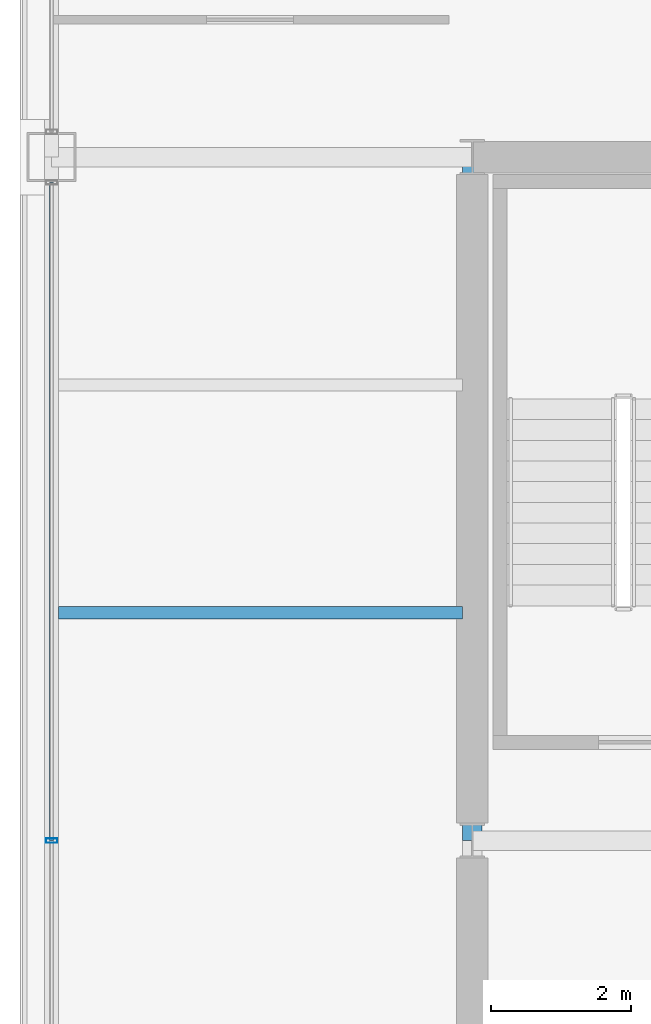
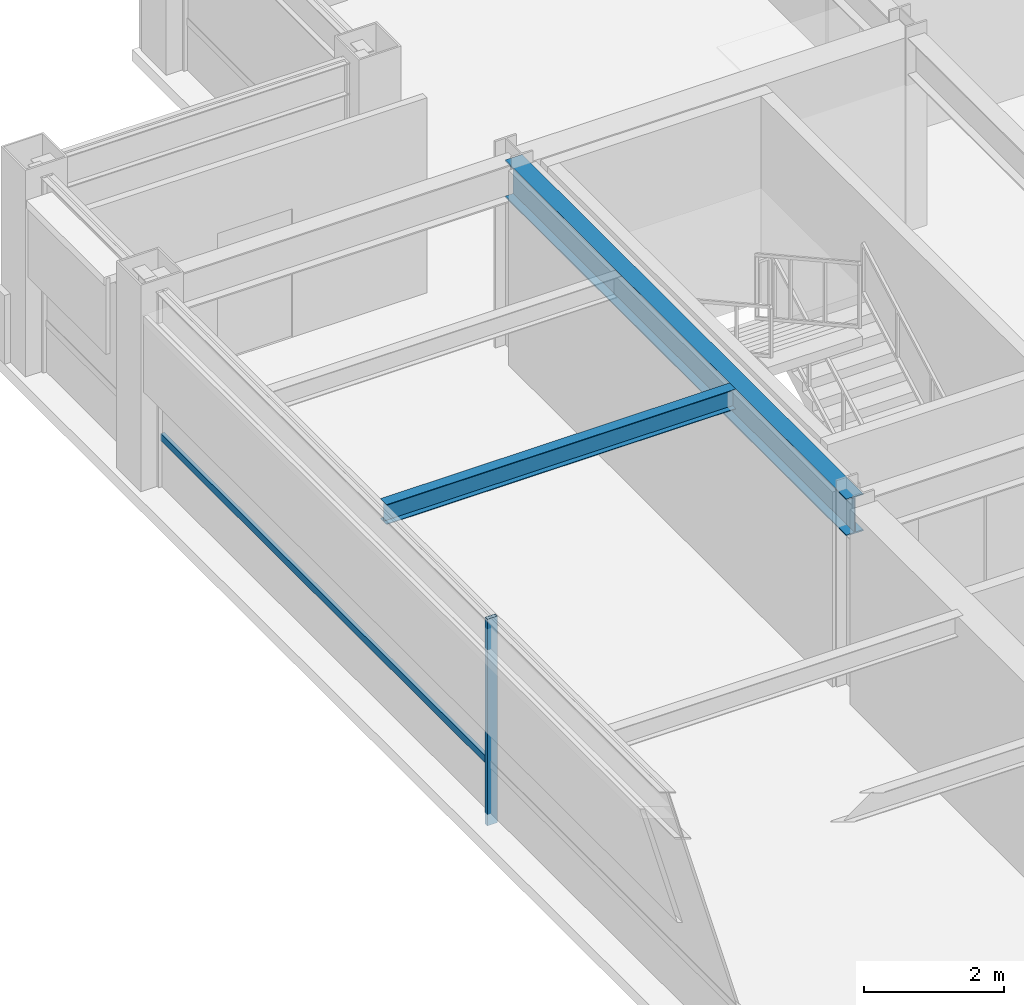
# One storey, part 8 of 26: 2 beams, 2 members, 1 element without a shape of its own.
"""IFC4 building model written with IfcOpenShell, lengths in metres."""

import ifcopenshell
import ifcopenshell.guid

model = None  # the IFC model being written
_history = None  # IfcOwnerHistory: only IFC2X3 demands one
_inside = {}  # id of a spatial element -> (the spatial element, [elements in it])
_under = {}  # id of a project, library or spatial element -> (it, [spatial elements below it])
_declared = {}  # id of a project -> (the project, [libraries it declares])
_typed = {}  # id of a type object -> (the type object, [elements of that type])
_made_of = {}  # id of a material, layer set ... -> (it, [elements and type objects made of it])


def new_model(schema):
    """Start an empty IFC model of exactly this schema.

    Asked for "IFC4X3", IfcOpenShell would pick the latest addendum, in which some entities
    have other attributes; the version numbers below select the first issue.
    IFC2X3 requires an IfcOwnerHistory on every rooted entity: one is made here for all.
    """
    global model, _history
    if schema == "IFC4X3":
        model = ifcopenshell.file(schema_version=(4, 3, 0, 0))
    else:
        model = ifcopenshell.file(schema=schema)
    _inside.clear()
    _under.clear()
    _declared.clear()
    _typed.clear()
    _made_of.clear()
    _history = None
    if model.schema == "IFC2X3":
        org = make("IfcOrganization", Name="unknown")
        user = make(
            "IfcPersonAndOrganization",
            ThePerson=make("IfcPerson", FamilyName="unknown"),
            TheOrganization=org,
        )
        app = make(
            "IfcApplication",
            ApplicationDeveloper=org,
            Version="unknown",
            ApplicationFullName="unknown",
            ApplicationIdentifier="unknown",
        )
        _history = make(
            "IfcOwnerHistory",
            OwningUser=user,
            OwningApplication=app,
            ChangeAction="ADDED",
            CreationDate=0,
        )
    return model


def make(cls, **values):
    """One entity of the class cls with the attributes given. An attribute that is None is left unset."""
    return model.create_entity(
        cls, **{name: value for name, value in values.items() if value is not None}
    )


def rooted(cls, **values):
    """An entity with a GlobalId (a new one), such as an element, a storey or a relation."""
    return make(cls, GlobalId=ifcopenshell.guid.new(), OwnerHistory=_history, **values)


def si_unit(unit_type, name, prefix=None):
    """IfcSIUnit, for example si_unit("LENGTHUNIT", "METRE", prefix="MILLI")."""
    return make("IfcSIUnit", UnitType=unit_type, Prefix=prefix, Name=name)


def assignment(units):
    """IfcUnitAssignment: the units of a project."""
    return None if units is None else make("IfcUnitAssignment", Units=units)


def point(xyz):
    """IfcCartesianPoint."""
    return None if xyz is None else make("IfcCartesianPoint", Coordinates=xyz)


def direction(xyz):
    """IfcDirection."""
    return None if xyz is None else make("IfcDirection", DirectionRatios=xyz)


def frame(location, z_axis=None, x_axis=None):
    """IfcAxis2Placement3D, a coordinate frame: its origin and axes. An axis left out is left unset."""
    return make(
        "IfcAxis2Placement3D",
        Location=point(location),
        Axis=direction(z_axis),
        RefDirection=direction(x_axis),
    )


def frame_2d(location, x_axis=None):
    """IfcAxis2Placement2D, a coordinate frame in the plane: its origin and x axis."""
    return make(
        "IfcAxis2Placement2D", Location=point(location), RefDirection=direction(x_axis)
    )


def origin():
    """The frame at (0, 0, 0) with its axes left unset."""
    return frame((0.0, 0.0, 0.0))


def origin_2d():
    """The frame at (0, 0) in the plane with its x axis left unset."""
    return frame_2d((0.0, 0.0))


def place(relative_to, where):
    """IfcLocalPlacement: puts the frame where relative to a parent placement (None: the world)."""
    return make(
        "IfcLocalPlacement", PlacementRelTo=relative_to, RelativePlacement=where
    )


def context(
    kind, dimensions, precision=None, world=None, true_north=None, identifier=None
):
    """IfcGeometricRepresentationContext, for example the 3D "Model" context."""
    return make(
        "IfcGeometricRepresentationContext",
        ContextIdentifier=identifier,
        ContextType=kind,
        CoordinateSpaceDimension=dimensions,
        Precision=precision,
        WorldCoordinateSystem=world,
        TrueNorth=true_north,
    )


def subcontext(parent, identifier, kind, view, scale=None):
    """IfcGeometricRepresentationSubContext, for example "Body" below "Model"."""
    return make(
        "IfcGeometricRepresentationSubContext",
        ContextIdentifier=identifier,
        ContextType=kind,
        ParentContext=parent,
        TargetScale=scale,
        TargetView=view,
    )


def project(units=None, contexts=None):
    """IfcProject with its units and contexts."""
    return rooted(
        "IfcProject",
        Name="project",
        RepresentationContexts=contexts,
        UnitsInContext=assignment(units),
    )


def spatial(cls, under=None, at=None, **own):
    """A site, building, storey or space (cls), placed at a placement, below another one or the project."""
    s = rooted(cls, ObjectPlacement=at, **own)
    if under is not None:
        _under.setdefault(under.id(), (under, []))[1].append(s)
    return s


def profile(cls, at=None, kind="AREA", **sizes):
    """A parametric profile (cls). Its sizes go by their IFC names, for example OverallWidth=200.0."""
    return make(cls, ProfileType=kind, Position=at, **sizes)


def hollow_rectangle(**sizes):
    """IfcRectangleHollowProfileDef."""
    return profile("IfcRectangleHollowProfileDef", **sizes)


def i_section(**sizes):
    """IfcIShapeProfileDef."""
    return profile("IfcIShapeProfileDef", **sizes)


def extrude(swept, where, along, depth):
    """IfcExtrudedAreaSolid: the profile swept, set in the frame where, extruded along a direction by depth."""
    return make(
        "IfcExtrudedAreaSolid",
        SweptArea=swept,
        Position=where,
        ExtrudedDirection=direction(along),
        Depth=depth,
    )


def shape(context_of_items, identifier, shape_type, items):
    """IfcShapeRepresentation: the items that make up one representation, for example the "Body"."""
    return make(
        "IfcShapeRepresentation",
        ContextOfItems=context_of_items,
        RepresentationIdentifier=identifier,
        RepresentationType=shape_type,
        Items=items,
    )


def material(Name=None, Category=None):
    """IfcMaterial."""
    return make("IfcMaterial", Name=Name, Category=Category)


def layer(
    of_material, thickness, ventilated=None, Name=None, Category=None, Priority=None
):
    """IfcMaterialLayer: one layer of a wall or slab, of a material (None: an air gap)."""
    return make(
        "IfcMaterialLayer",
        Material=of_material,
        LayerThickness=thickness,
        IsVentilated=ventilated,
        Name=Name,
        Category=Category,
        Priority=Priority,
    )


def layer_set(layers, Name=None):
    """IfcMaterialLayerSet."""
    return make("IfcMaterialLayerSet", MaterialLayers=layers, LayerSetName=Name)


def material_profile(
    of_material, cross_section, Name=None, Category=None, Priority=None
):
    """IfcMaterialProfile: a cross section and its material."""
    return make(
        "IfcMaterialProfile",
        Name=Name,
        Material=of_material,
        Profile=cross_section,
        Priority=Priority,
        Category=Category,
    )


def profile_set(profiles, Name=None, composite=None):
    """IfcMaterialProfileSet."""
    return make(
        "IfcMaterialProfileSet",
        Name=Name,
        MaterialProfiles=profiles,
        CompositeProfile=composite,
    )


def made_of(thing, what):
    """Note that an element or type object is made of a material, layer set ...; save() writes the relation."""
    if what is not None:
        _made_of.setdefault(what.id(), (what, []))[1].append(thing)
    return thing


def type_object(cls, material=None, **own):
    """A type object (cls), such as IfcWallType, which elements share."""
    return made_of(rooted(cls, **own), material)


def element(
    cls,
    number,
    at=None,
    inside=None,
    cuts=None,
    type_object=None,
    material=None,
    context=None,
    identifier="Body",
    shape_type=None,
    held_by="IfcProductDefinitionShape",
    body=None,
    shapes=None,
    **own,
):
    """One element of the class cls, such as IfcWall. Its Tag is "e" and its number.

    at: its placement. inside: the storey or other place that contains it. cuts: it is an
    opening in that element (IfcRelVoidsElement). A single representation is given by context,
    identifier, shape_type and body (its items); several are given by shapes. held_by: the class
    of the entity that holds the representations. save() writes the other relations.
    """
    e = rooted(cls, Tag="e%d" % number, ObjectPlacement=at, **own)
    if body is not None:
        shapes = [shape(context, identifier, shape_type, body)]
    if shapes is not None:
        e.Representation = make(held_by, Representations=shapes)
    if inside is not None:
        _inside.setdefault(inside.id(), (inside, []))[1].append(e)
    if cuts is not None:
        rooted(
            "IfcRelVoidsElement", RelatingBuildingElement=cuts, RelatedOpeningElement=e
        )
    if type_object is not None:
        _typed.setdefault(type_object.id(), (type_object, []))[1].append(e)
    return made_of(e, material)


def aggregate(whole, parts):
    """IfcRelAggregates: a whole, such as a stair, and the parts it consists of."""
    return rooted("IfcRelAggregates", RelatingObject=whole, RelatedObjects=parts)


def save(model, path):
    """Write the relations noted so far, then the file.

    IfcRelAggregates (storeys below a building ...), IfcRelContainedInSpatialStructure (elements
    in a storey), IfcRelDefinesByType, IfcRelAssociatesMaterial and IfcRelDeclares: one each for
    every whole, place, type object, material and project.
    """
    for whole, parts in _under.values():
        aggregate(whole, parts)
    for where, things in _inside.values():
        rooted(
            "IfcRelContainedInSpatialStructure",
            RelatedElements=things,
            RelatingStructure=where,
        )
    for kind, things in _typed.values():
        rooted("IfcRelDefinesByType", RelatedObjects=things, RelatingType=kind)
    for what, things in _made_of.values():
        rooted("IfcRelAssociatesMaterial", RelatedObjects=things, RelatingMaterial=what)
    for by, libraries in _declared.values():
        rooted("IfcRelDeclares", RelatingContext=by, RelatedDefinitions=libraries)
    model.write(path)


model = new_model("IFC4")

# Units and contexts
model_context = context("Model", 3, precision=1e-05, world=origin(), true_north=direction((0.0, 1.0)))
body_context = subcontext(model_context, "Body", "Model", "MODEL_VIEW")
ifc_project = project(units=[si_unit("LENGTHUNIT", "METRE"), si_unit("AREAUNIT", "SQUARE_METRE"), si_unit("VOLUMEUNIT", "CUBIC_METRE"), si_unit("PLANEANGLEUNIT", "RADIAN"), si_unit("MASSUNIT", "GRAM", prefix="KILO")], contexts=[model_context])

# Site, building, storey
site_placement = place(None, origin())
site = spatial("IfcSite", under=ifc_project, at=site_placement, CompositionType="ELEMENT")
building_placement = place(site_placement, origin())
building = spatial("IfcBuilding", under=site, at=building_placement, Name="Brelmoor Portico Tower", CompositionType="ELEMENT")
storey_placement = place(building_placement, frame((0.0, 0.0, 205.5)))
storey = spatial("IfcBuildingStorey", under=building, at=storey_placement, Name="L54", CompositionType="ELEMENT", Elevation=205.5)

# Beams
ifc_material_1 = material(Name="Steel Q355B", Category="steel")
ifc_material_profile_1 = material_profile(ifc_material_1, i_section(OverallWidth=0.175048828125, OverallDepth=0.35009765625, WebThickness=0.007080078125, FlangeThickness=0.010986328125, at=origin_2d()), Name="HN 350x175x7x11")
ifc_profile_set_1 = profile_set([ifc_material_profile_1], Name="Steel Q355B")
beam_type_1 = type_object("IfcBeamType", Name="BM-JS-350", PredefinedType="JOIST", material=ifc_profile_set_1)
beam_1_placement = place(storey_placement, frame((-20.449951171875, 3.25, 3.22509765625), z_axis=(1.0, 0.0, 0.0), x_axis=(0.0, 1.0, 0.0)))
element("IfcBeam", 1, at=beam_1_placement, inside=storey, type_object=beam_type_1, Name="L54 Secondary Wing Joist JS-W05", PredefinedType="JOIST", context=body_context, shape_type="SweptSolid", body=[
    extrude(i_section(OverallWidth=0.175048828125, OverallDepth=0.35009765625, WebThickness=0.007080078125, FlangeThickness=0.010986328125, at=origin_2d()), origin(), (0.0, 0.0, 1.0), 5.760009765625),
])
ifc_material_profile_2 = material_profile(ifc_material_1, i_section(OverallWidth=0.280029296875, OverallDepth=0.64990234375, WebThickness=0.012939453125, FlangeThickness=0.02197265625, at=origin_2d()), Name="HN 650x280x13x22")
ifc_profile_set_2 = profile_set([ifc_material_profile_2], Name="Steel Q355B")
beam_type_2 = type_object("IfcBeamType", Name="BM-PG-650", PredefinedType="BEAM", material=ifc_profile_set_2)
beam_2_placement = place(storey_placement, frame((-14.550048828125, 0.0, 3.074951171875), z_axis=(0.0, 1.0, 0.0), x_axis=(-1.0, 0.0, 0.0)))
element("IfcBeam", 2, at=beam_2_placement, inside=storey, type_object=beam_type_2, Name="L54 Primary Floor Girder PG-02", PredefinedType="BEAM", context=body_context, shape_type="SweptSolid", body=[
    extrude(i_section(OverallWidth=0.280029296875, OverallDepth=0.64990234375, WebThickness=0.012939453125, FlangeThickness=0.02197265625, at=origin_2d()), origin(), (0.0, 0.0, 1.0), 9.75),
])

# Curtain wall, members
ifc_material_2 = material(Name="Anodised Aluminium Alloy 6063-T6", Category="aluminium")
ifc_layer = layer(ifc_material_2, 0.179931640625)
ifc_layer_set = layer_set([ifc_layer], Name="Anodised Aluminium Alloy 6063-T6")
curtain_wall_type = type_object("IfcCurtainWallType", Name="CW-TOWER-Z3", PredefinedType="NOTDEFINED", material=ifc_layer_set)
curtain_wall_placement = place(storey_placement, origin())
curtain_wall = element("IfcCurtainWall", 3, at=curtain_wall_placement, inside=storey, type_object=curtain_wall_type, Name="L54 Curtain Wall CW-L54-03-2", PredefinedType="NOTDEFINED")
ifc_material_profile_3 = material_profile(ifc_material_2, hollow_rectangle(XDim=0.06494140625, YDim=0.1650390625, WallThickness=0.00390625, at=origin_2d()), Name="ALU MULLION 65x165")
ifc_profile_set_3 = profile_set([ifc_material_profile_3], Name="Anodised Aluminium Alloy 6063-T6")
member_type_1 = type_object("IfcMemberType", Name="MB-CW-MULL-165", PredefinedType="MULLION", material=ifc_profile_set_3)
member_1_placement = place(storey_placement, frame((-20.550048828125, 0.0, -0.199951171875), z_axis=(0.0, 0.0, 1.0), x_axis=(0.0, 1.0, 0.0)))
member_1 = element("IfcMember", 4, at=member_1_placement, type_object=member_type_1, Name="CW-L54-03-2 Mullion 01", PredefinedType="MULLION", context=body_context, shape_type="SweptSolid", body=[
    extrude(hollow_rectangle(XDim=0.06494140625, YDim=0.1650390625, WallThickness=0.00390625, at=origin_2d()), origin(), (0.0, 0.0, 1.0), 3.599853515625),
])
ifc_material_profile_4 = material_profile(ifc_material_2, hollow_rectangle(XDim=0.06005859375, YDim=0.125, WallThickness=0.00341796875, at=origin_2d()), Name="ALU TRANSOM 60x125")
ifc_profile_set_4 = profile_set([ifc_material_profile_4], Name="Anodised Aluminium Alloy 6063-T6")
member_type_2 = type_object("IfcMemberType", Name="MB-CW-TRAN-125", PredefinedType="USERDEFINED", material=ifc_profile_set_4)
member_2_placement = place(storey_placement, frame((-20.550048828125, 0.0, 0.85009765625), z_axis=(0.0, 1.0, 0.0), x_axis=(-1.0, 0.0, 0.0)))
member_2 = element("IfcMember", 5, at=member_2_placement, type_object=member_type_2, Name="CW-L54-03-2 Transom 1-01", ObjectType="TRANSOM", PredefinedType="USERDEFINED", context=body_context, shape_type="SweptSolid", body=[
    extrude(hollow_rectangle(XDim=0.06005859375, YDim=0.125, WallThickness=0.00341796875, at=origin_2d()), origin(), (0.0, 0.0, 1.0), 9.389892578125),
])
aggregate(curtain_wall, [member_1, member_2])

save(model, "model.ifc")
